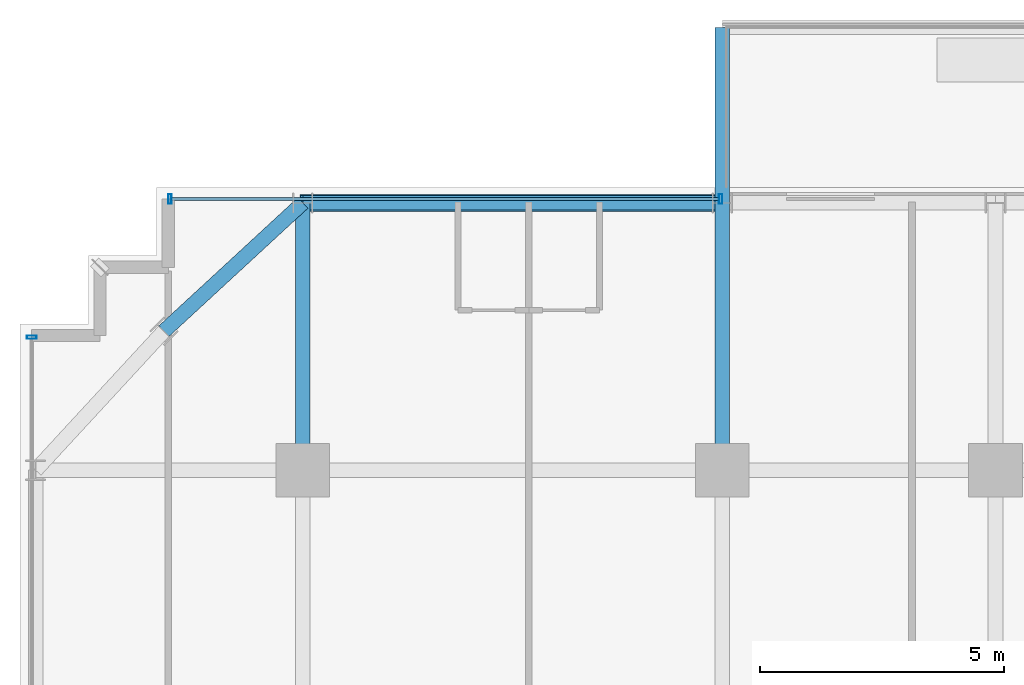
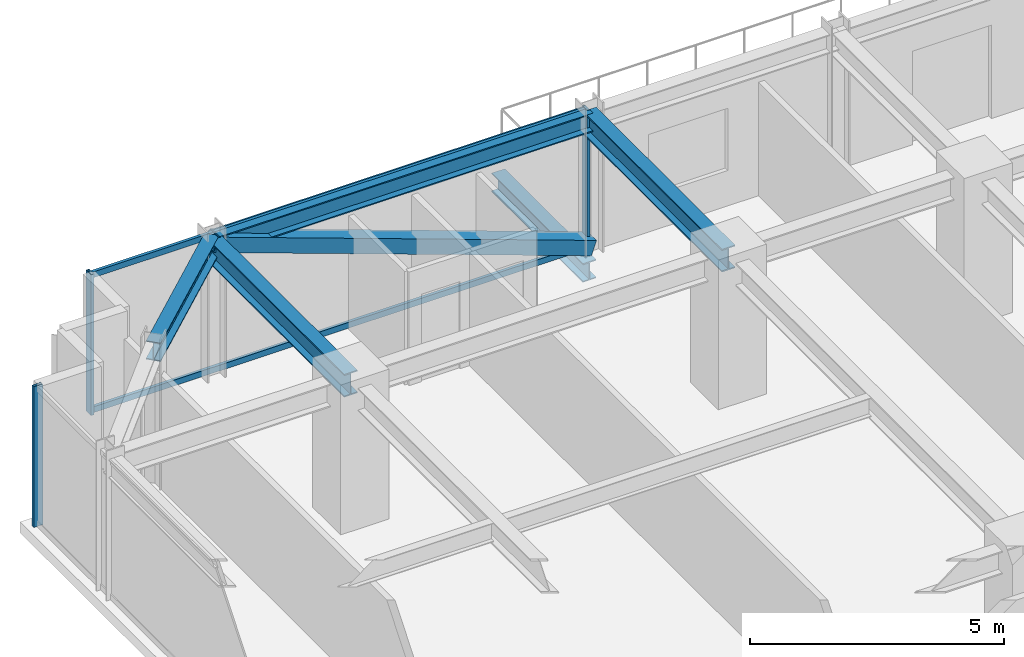
# One storey, part 22 of 41: 6 members, 5 beams, 2 elements without a shape of their own.
"""IFC4 building model written with IfcOpenShell, lengths in metres."""

from ifc_helpers import new_model, si_unit, direction, frame, origin, origin_2d, place, context, subcontext, project, spatial, hollow_rectangle, i_section, extrude, source, transform, mapped, material, material_profile, profile_set, type_object, element, aggregate, save


model = new_model("IFC4")

# Units and contexts
model_context = context("Model", 3, precision=1e-05, world=origin(), true_north=direction((0.0, 1.0)))
body_context = subcontext(model_context, "Body", "Model", "MODEL_VIEW")
ifc_project = project(units=[si_unit("LENGTHUNIT", "METRE"), si_unit("AREAUNIT", "SQUARE_METRE"), si_unit("VOLUMEUNIT", "CUBIC_METRE"), si_unit("PLANEANGLEUNIT", "RADIAN"), si_unit("MASSUNIT", "GRAM", prefix="KILO")], contexts=[model_context])

# Site, building, storey
site_placement = place(None, origin())
site = spatial("IfcSite", under=ifc_project, at=site_placement, CompositionType="ELEMENT")
building_placement = place(site_placement, origin())
building = spatial("IfcBuilding", under=site, at=building_placement, Name="Nahalor Promenade Grand Hotel", CompositionType="ELEMENT")
storey_placement = place(building_placement, frame((0.0, 0.0, 159.949951171875)))
storey = spatial("IfcBuildingStorey", under=building, at=storey_placement, Name="L40", CompositionType="ELEMENT", Elevation=159.949951171875)

# Beams
ifc_material_1 = material(Name="Steel S355JR", Category="steel")
ifc_material_profile_1 = material_profile(ifc_material_1, i_section(OverallWidth=0.3, OverallDepth=0.45, WebThickness=0.014, FlangeThickness=0.026, at=origin_2d()), Name="HEB 450")
ifc_profile_set_1 = profile_set([ifc_material_profile_1], Name="Steel S355JR")
beam_type_1 = type_object("IfcBeamType", Name="Beam-Outrigger-HEB450", PredefinedType="BEAM", material=ifc_profile_set_1)
shared_shape_1 = source(origin(), body_context, "Body", "SweptSolid", [
    extrude(i_section(OverallWidth=0.3, OverallDepth=0.45, WebThickness=0.014, FlangeThickness=0.026, at=origin_2d()), origin(), (0.0, 0.0, 1.0), 3.60009765625),
])
beam_1_placement = place(storey_placement, frame((-8.39990234375, 22.47998046875, -0.5048828125), z_axis=(0.0, 1.0, 0.0), x_axis=(-1.0, 0.0, 0.0)))
element("IfcBeam", 1, at=beam_1_placement, inside=storey, type_object=beam_type_1, Name="BM-L40-BC-01-1", PredefinedType="BEAM", context=body_context, shape_type="MappedRepresentation", body=[
    mapped(shared_shape_1, transform((0.0, 0.0, 0.0), scale=1.0)),
])
ifc_material_profile_2 = material_profile(ifc_material_1, i_section(OverallWidth=0.3, OverallDepth=0.55, WebThickness=0.015, FlangeThickness=0.029, at=origin_2d()), Name="HEB 550")
ifc_profile_set_2 = profile_set([ifc_material_profile_2], Name="Steel S355JR")
beam_type_2 = type_object("IfcBeamType", Name="Beam-Girder-HEB550", PredefinedType="BEAM", material=ifc_profile_set_2)
shared_shape_2 = source(origin(), body_context, "Body", "SweptSolid", [
    extrude(i_section(OverallWidth=0.3, OverallDepth=0.55, WebThickness=0.015, FlangeThickness=0.029, at=origin_2d()), origin(), (0.0, 0.0, 1.0), 5.47998046875),
])
for number, where, z_axis, x_axis, name in (
    (2, (-17.0, 17.0, 3.114990234375), (0.0, 1.0, 0.0), (-1.0, 0.0, 0.0), "BM-L40-GY-0-4"),
    (3, (-8.39990234375, 17.0, 3.114990234375), (0.0, 1.0, 0.0), (-1.0, 0.0, 0.0), "BM-L40-GY-1-4"),
):
    element("IfcBeam", number, at=place(storey_placement, frame(where, z_axis=z_axis, x_axis=x_axis)), inside=storey, type_object=beam_type_2, Name=name, PredefinedType="BEAM", context=body_context, shape_type="MappedRepresentation", body=[
        mapped(shared_shape_2, transform((0.0, 0.0, 0.0), scale=1.0)),
    ])
ifc_material_profile_3 = material_profile(ifc_material_1, i_section(OverallWidth=0.3, OverallDepth=0.45, WebThickness=0.014, FlangeThickness=0.026, at=origin_2d()), Name="HEB 450")
ifc_profile_set_3 = profile_set([ifc_material_profile_3], Name="Steel S355JR")
beam_type_3 = type_object("IfcBeamType", Name="Beam-Spandrel-HEB450", PredefinedType="SPANDREL", material=ifc_profile_set_3)
shared_shape_3 = source(origin(), body_context, "Body", "SweptSolid", [
    extrude(i_section(OverallWidth=0.3, OverallDepth=0.45, WebThickness=0.014, FlangeThickness=0.026, at=origin_2d()), origin(), (0.0, 0.0, 1.0), 8.60009765625),
])
beam_2_placement = place(storey_placement, frame((-17.0, 22.47998046875, 3.1650390625), z_axis=(1.0, 0.0, 0.0), x_axis=(0.0, 1.0, 0.0)))
element("IfcBeam", 4, at=beam_2_placement, inside=storey, type_object=beam_type_3, Name="BM-L40-SP-N-0", PredefinedType="SPANDREL", context=body_context, shape_type="MappedRepresentation", body=[
    mapped(shared_shape_3, transform((0.0, 0.0, 0.0), scale=1.0)),
])
shared_shape_4 = source(origin(), body_context, "Body", "SweptSolid", [
    extrude(i_section(OverallWidth=0.3, OverallDepth=0.45, WebThickness=0.014, FlangeThickness=0.026, at=origin_2d()), origin(), (0.0, 0.0, 1.0), 3.878173828125),
])
beam_3_placement = place(storey_placement, frame((-17.0, 22.47998046875, 3.1650390625), z_axis=(-0.73492893846, -0.678144125843, 0.0), x_axis=(0.678144125843, -0.73492893846, 0.0)))
element("IfcBeam", 5, at=beam_3_placement, inside=storey, type_object=beam_type_3, Name="BM-L40-SPC-NW-1", PredefinedType="SPANDREL", context=body_context, shape_type="MappedRepresentation", body=[
    mapped(shared_shape_4, transform((0.0, 0.0, 0.0), scale=1.0)),
])

# Member
ifc_material_profile_4 = material_profile(ifc_material_1, hollow_rectangle(XDim=0.35, YDim=0.35, WallThickness=0.02, at=origin_2d()), Name="SHS 350x350x20")
ifc_profile_set_4 = profile_set([ifc_material_profile_4], Name="Steel S355JR")
member_type_1 = type_object("IfcMemberType", Name="Mem-VoidBrace-SHS350", PredefinedType="BRACE", material=ifc_profile_set_4)
shared_shape_5 = source(origin(), body_context, "Body", "SweptSolid", [
    extrude(hollow_rectangle(XDim=0.35, YDim=0.35, WallThickness=0.02, at=origin_2d()), origin(), (0.0, 0.0, 1.0), 9.138427734375),
])
member_1_placement = place(storey_placement, frame((-8.39990234375, 22.47998046875, 0.150146484375), z_axis=(-0.941103144716, 0.0, 0.338119610501), x_axis=(0.0, -1.0, 0.0)))
element("IfcMember", 6, at=member_1_placement, inside=storey, type_object=member_type_1, Name="EXO-L40-N-0", PredefinedType="BRACE", context=body_context, shape_type="MappedRepresentation", body=[
    mapped(shared_shape_5, transform((0.0, 0.0, 0.0), scale=1.0)),
])

# Curtain wall, members
ifc_material_2 = material(Name="Anodised Bronze Aluminium EN AW-6063 T6", Category="aluminium")
curtain_wall_type = type_object("IfcCurtainWallType", Name="CW3 Elliptical-Void Collar Unitised Curtain Wall", PredefinedType="USERDEFINED", material=ifc_material_2)
curtain_wall_1_placement = place(storey_placement, origin())
curtain_wall_1 = element("IfcCurtainWall", 7, at=curtain_wall_1_placement, inside=storey, type_object=curtain_wall_type, Name="L40 Curtain Wall CW-L40-N-1", ObjectType="UNITISED_CURTAIN_WALL", PredefinedType="USERDEFINED")
ifc_material_profile_5 = material_profile(ifc_material_2, hollow_rectangle(XDim=0.07, YDim=0.2, WallThickness=0.005, at=origin_2d()), Name="CWM 70x200x5")
ifc_profile_set_5 = profile_set([ifc_material_profile_5], Name="Anodised Bronze Aluminium EN AW-6063 T6")
member_type_2 = type_object("IfcMemberType", Name="CWM3 Void Collar Mullion 70x200", PredefinedType="MULLION", material=ifc_profile_set_5)
shared_shape_6 = source(origin(), body_context, "Body", "SweptSolid", [
    extrude(hollow_rectangle(XDim=0.07, YDim=0.2, WallThickness=0.005, at=origin_2d()), origin(), (0.0, 0.0, 1.0), 3.39013671875),
])
member_2_placement = place(storey_placement, frame((-19.72509765625, 22.56005859375, 0.0), z_axis=(0.0, 0.0, 1.0), x_axis=(1.0, 0.0, 0.0)))
member_2 = element("IfcMember", 8, at=member_2_placement, type_object=member_type_2, Name="CW-L40-N-1 Mullion 0", PredefinedType="MULLION", context=body_context, shape_type="MappedRepresentation", body=[
    mapped(shared_shape_6, transform((0.0, 0.0, 0.0), scale=1.0)),
])
member_3_placement = place(storey_placement, frame((-8.43505859375, 22.56005859375, 0.0), z_axis=(0.0, 0.0, 1.0), x_axis=(1.0, 0.0, 0.0)))
member_3 = element("IfcMember", 9, at=member_3_placement, type_object=member_type_2, Name="CW-L40-N-1 Mullion 1", PredefinedType="MULLION", context=body_context, shape_type="MappedRepresentation", body=[
    mapped(shared_shape_6, transform((0.0, 0.0, 0.0), scale=1.0)),
])

# Curtain wall, member
curtain_wall_2_placement = place(storey_placement, origin())
curtain_wall_2 = element("IfcCurtainWall", 10, at=curtain_wall_2_placement, inside=storey, type_object=curtain_wall_type, Name="L40 Curtain Wall CW-L40-W-2", ObjectType="UNITISED_CURTAIN_WALL", PredefinedType="USERDEFINED")
member_4_placement = place(storey_placement, frame((-22.56005859375, 19.72509765625, 0.0), z_axis=(0.0, 0.0, 1.0), x_axis=(0.0, 1.0, 0.0)))
member_4 = element("IfcMember", 11, at=member_4_placement, type_object=member_type_2, Name="CW-L40-W-2 Mullion 2", PredefinedType="MULLION", context=body_context, shape_type="MappedRepresentation", body=[
    mapped(shared_shape_6, transform((0.0, 0.0, 0.0), scale=1.0)),
])
aggregate(curtain_wall_2, [member_4])

# Member
ifc_material_profile_6 = material_profile(ifc_material_2, hollow_rectangle(XDim=0.07, YDim=0.14, WallThickness=0.004, at=origin_2d()), Name="CWT 70x140x4")
ifc_profile_set_6 = profile_set([ifc_material_profile_6], Name="Anodised Bronze Aluminium EN AW-6063 T6")
member_type_3 = type_object("IfcMemberType", Name="CWT3 Void Collar Transom 70x140", PredefinedType="USERDEFINED", material=ifc_profile_set_6)
shared_shape_7 = source(origin(), body_context, "Body", "SweptSolid", [
    extrude(hollow_rectangle(XDim=0.07, YDim=0.14, WallThickness=0.004, at=origin_2d()), origin(), (0.0, 0.0, 1.0), 11.219970703125),
])
member_5_placement = place(storey_placement, frame((-19.68994140625, 22.56005859375, 0.070068359375), z_axis=(1.0, 0.0, 0.0), x_axis=(0.0, 1.0, 0.0)))
member_5 = element("IfcMember", 12, at=member_5_placement, type_object=member_type_3, Name="CW-L40-N-1 Transom 0-0", ObjectType="TRANSOM", PredefinedType="USERDEFINED", context=body_context, shape_type="MappedRepresentation", body=[
    mapped(shared_shape_7, transform((0.0, 0.0, 0.0), scale=1.0)),
])

member_6_placement = place(storey_placement, frame((-19.68994140625, 22.56005859375, 3.320068359375), z_axis=(1.0, 0.0, 0.0), x_axis=(0.0, 1.0, 0.0)))
member_6 = element("IfcMember", 13, at=member_6_placement, type_object=member_type_3, Name="CW-L40-N-1 Transom 0-1", ObjectType="TRANSOM", PredefinedType="USERDEFINED", context=body_context, shape_type="MappedRepresentation", body=[
    mapped(shared_shape_7, transform((0.0, 0.0, 0.0), scale=1.0)),
])

aggregate(curtain_wall_1, [member_2, member_3, member_5, member_6])

save(model, "model.ifc")
